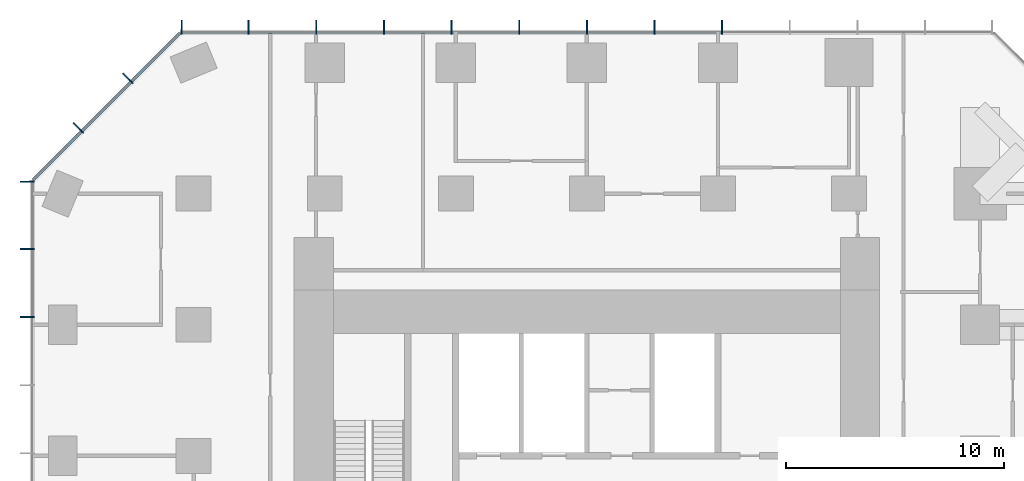
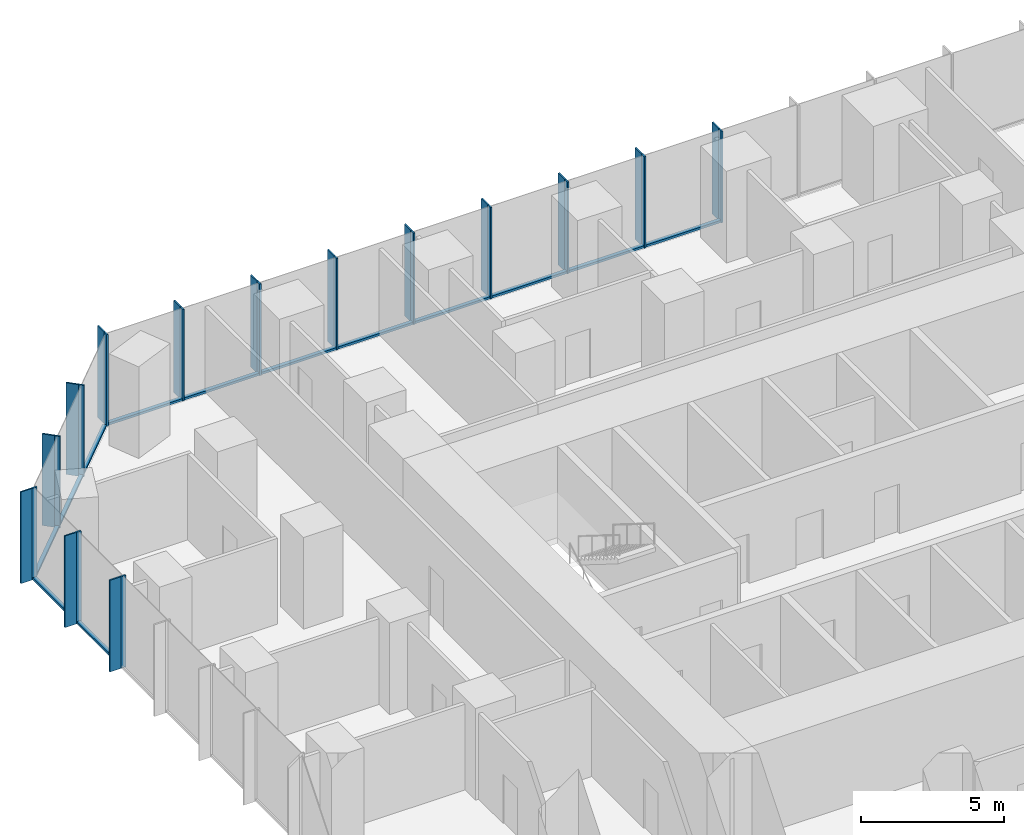
# One storey, part 5 of 12: 41 members, 3 elements without a shape of their own.
"""IFC4 building model written with IfcOpenShell, lengths in metres."""

from ifc_helpers import new_model, si_unit, direction, frame, origin, origin_2d, place, context, subcontext, project, spatial, rectangle, extrude, material, layer, layer_set, material_profile, profile_set, type_object, element, aggregate, save


model = new_model("IFC4")

# Units and contexts
model_context = context("Model", 3, precision=1e-05, world=origin(), true_north=direction((0.0, 1.0)))
body_context = subcontext(model_context, "Body", "Model", "MODEL_VIEW")
ifc_project = project(units=[si_unit("LENGTHUNIT", "METRE"), si_unit("AREAUNIT", "SQUARE_METRE"), si_unit("VOLUMEUNIT", "CUBIC_METRE"), si_unit("PLANEANGLEUNIT", "RADIAN"), si_unit("MASSUNIT", "GRAM", prefix="KILO")], contexts=[model_context])

# Site, building, storey
site_placement = place(None, origin())
site = spatial("IfcSite", under=ifc_project, at=site_placement, CompositionType="ELEMENT")
building_placement = place(site_placement, origin())
building = spatial("IfcBuilding", under=site, at=building_placement, Name="Highveld Stack Headquarters", CompositionType="ELEMENT")
storey_placement = place(building_placement, frame((0.0, 0.0, 156.199951171875)))
storey = spatial("IfcBuildingStorey", under=building, at=storey_placement, Name="L38", CompositionType="ELEMENT", Elevation=156.199951171875)

# Curtain wall, members
ifc_material_1 = material(Name="Aluminium bronze anodised", Category="aluminium")
ifc_layer_1 = layer(ifc_material_1, 0.199951171875)
ifc_layer_set_1 = layer_set([ifc_layer_1], Name="Aluminium bronze anodised")
curtain_wall_type_1 = type_object("IfcCurtainWallType", Name="CW1 TOWER UNITISED CURTAIN WALL", PredefinedType="NOTDEFINED", material=ifc_layer_set_1)
curtain_wall_1_placement = place(storey_placement, origin())
curtain_wall_1 = element("IfcCurtainWall", 1, at=curtain_wall_1_placement, inside=storey, type_object=curtain_wall_type_1, Name="Curtain wall CW1 L38 N", PredefinedType="NOTDEFINED")
ifc_material_2 = material(Name="Aluminium bronze anodised", Category="aluminium")
ifc_material_profile_1 = material_profile(ifc_material_2, rectangle(XDim=0.449951171875, YDim=0.06005859375, at=origin_2d()), Name="FIN 450x60")
ifc_profile_set_1 = profile_set([ifc_material_profile_1], Name="Aluminium bronze anodised")
member_type_1 = type_object("IfcMemberType", Name="CW1 BRONZE FIN 450x60", PredefinedType="USERDEFINED", material=ifc_profile_set_1)
member_1_placement = place(storey_placement, frame((12.193359375, 25.72509765625, 0.0), z_axis=(0.0, 0.0, 1.0), x_axis=(0.0, -1.0, 0.0)))
member_1 = element("IfcMember", 2, at=member_1_placement, type_object=member_type_1, Name="CW1 fin L38 5", ObjectType="FIN", PredefinedType="USERDEFINED", context=body_context, shape_type="SweptSolid", body=[
    extrude(rectangle(XDim=0.449951171875, YDim=0.06005859375, at=origin_2d()), origin(), (0.0, 0.0, 1.0), 3.900146484375),
])
member_2_placement = place(storey_placement, frame((9.0966796875, 25.72509765625, 0.0), z_axis=(0.0, 0.0, 1.0), x_axis=(0.0, -1.0, 0.0)))
member_2 = element("IfcMember", 3, at=member_2_placement, type_object=member_type_1, Name="CW1 fin L38 6", ObjectType="FIN", PredefinedType="USERDEFINED", context=body_context, shape_type="SweptSolid", body=[
    extrude(rectangle(XDim=0.449951171875, YDim=0.06005859375, at=origin_2d()), origin(), (0.0, 0.0, 1.0), 3.900146484375),
])
member_3_placement = place(storey_placement, frame((6.0, 25.72509765625, 0.0), z_axis=(0.0, 0.0, 1.0), x_axis=(0.0, -1.0, 0.0)))
member_3 = element("IfcMember", 4, at=member_3_placement, type_object=member_type_1, Name="CW1 fin L38 7", ObjectType="FIN", PredefinedType="USERDEFINED", context=body_context, shape_type="SweptSolid", body=[
    extrude(rectangle(XDim=0.449951171875, YDim=0.06005859375, at=origin_2d()), origin(), (0.0, 0.0, 1.0), 3.900146484375),
])
member_4_placement = place(storey_placement, frame((2.9033203125, 25.72509765625, 0.0), z_axis=(0.0, 0.0, 1.0), x_axis=(0.0, -1.0, 0.0)))
member_4 = element("IfcMember", 5, at=member_4_placement, type_object=member_type_1, Name="CW1 fin L38 8", ObjectType="FIN", PredefinedType="USERDEFINED", context=body_context, shape_type="SweptSolid", body=[
    extrude(rectangle(XDim=0.449951171875, YDim=0.06005859375, at=origin_2d()), origin(), (0.0, 0.0, 1.0), 3.900146484375),
])
member_5_placement = place(storey_placement, frame((-0.193359375, 25.72509765625, 0.0), z_axis=(0.0, 0.0, 1.0), x_axis=(0.0, -1.0, 0.0)))
member_5 = element("IfcMember", 6, at=member_5_placement, type_object=member_type_1, Name="CW1 fin L38 9", ObjectType="FIN", PredefinedType="USERDEFINED", context=body_context, shape_type="SweptSolid", body=[
    extrude(rectangle(XDim=0.449951171875, YDim=0.06005859375, at=origin_2d()), origin(), (0.0, 0.0, 1.0), 3.900146484375),
])
member_6_placement = place(storey_placement, frame((-3.2900390625, 25.72509765625, 0.0), z_axis=(0.0, 0.0, 1.0), x_axis=(0.0, -1.0, 0.0)))
member_6 = element("IfcMember", 7, at=member_6_placement, type_object=member_type_1, Name="CW1 fin L38 10", ObjectType="FIN", PredefinedType="USERDEFINED", context=body_context, shape_type="SweptSolid", body=[
    extrude(rectangle(XDim=0.449951171875, YDim=0.06005859375, at=origin_2d()), origin(), (0.0, 0.0, 1.0), 3.900146484375),
])
member_7_placement = place(storey_placement, frame((-6.38671875, 25.72509765625, 0.0), z_axis=(0.0, 0.0, 1.0), x_axis=(0.0, -1.0, 0.0)))
member_7 = element("IfcMember", 8, at=member_7_placement, type_object=member_type_1, Name="CW1 fin L38 11", ObjectType="FIN", PredefinedType="USERDEFINED", context=body_context, shape_type="SweptSolid", body=[
    extrude(rectangle(XDim=0.449951171875, YDim=0.06005859375, at=origin_2d()), origin(), (0.0, 0.0, 1.0), 3.900146484375),
])
member_8_placement = place(storey_placement, frame((-9.4833984375, 25.72509765625, 0.0), z_axis=(0.0, 0.0, 1.0), x_axis=(0.0, -1.0, 0.0)))
member_8 = element("IfcMember", 9, at=member_8_placement, type_object=member_type_1, Name="CW1 fin L38 12", ObjectType="FIN", PredefinedType="USERDEFINED", context=body_context, shape_type="SweptSolid", body=[
    extrude(rectangle(XDim=0.449951171875, YDim=0.06005859375, at=origin_2d()), origin(), (0.0, 0.0, 1.0), 3.900146484375),
])
member_9_placement = place(storey_placement, frame((-12.54736328125, 25.72509765625, 0.0), z_axis=(0.0, 0.0, 1.0), x_axis=(0.0, -1.0, 0.0)))
member_9 = element("IfcMember", 10, at=member_9_placement, type_object=member_type_1, Name="CW1 fin L38 13", ObjectType="FIN", PredefinedType="USERDEFINED", context=body_context, shape_type="SweptSolid", body=[
    extrude(rectangle(XDim=0.449951171875, YDim=0.06005859375, at=origin_2d()), origin(), (0.0, 0.0, 1.0), 3.900146484375),
])

curtain_wall_2_placement = place(storey_placement, origin())
curtain_wall_2 = element("IfcCurtainWall", 11, at=curtain_wall_2_placement, inside=storey, type_object=curtain_wall_type_1, Name="Curtain wall CW1 L38 W", PredefinedType="NOTDEFINED")
member_10_placement = place(storey_placement, frame((-19.72509765625, 18.54736328125, 0.0), z_axis=(0.0, 0.0, 1.0), x_axis=(1.0, 0.0, 0.0)))
member_10 = element("IfcMember", 12, at=member_10_placement, type_object=member_type_1, Name="CW1 fin L38 1", ObjectType="FIN", PredefinedType="USERDEFINED", context=body_context, shape_type="SweptSolid", body=[
    extrude(rectangle(XDim=0.449951171875, YDim=0.06005859375, at=origin_2d()), origin(), (0.0, 0.0, 1.0), 3.900146484375),
])
member_11_placement = place(storey_placement, frame((-19.72509765625, 15.4638671875, 0.0), z_axis=(0.0, 0.0, 1.0), x_axis=(1.0, 0.0, 0.0)))
member_11 = element("IfcMember", 13, at=member_11_placement, type_object=member_type_1, Name="CW1 fin L38 2", ObjectType="FIN", PredefinedType="USERDEFINED", context=body_context, shape_type="SweptSolid", body=[
    extrude(rectangle(XDim=0.449951171875, YDim=0.06005859375, at=origin_2d()), origin(), (0.0, 0.0, 1.0), 3.900146484375),
])
member_12_placement = place(storey_placement, frame((-19.72509765625, 12.347900390625, 0.0), z_axis=(0.0, 0.0, 1.0), x_axis=(1.0, 0.0, 0.0)))
member_12 = element("IfcMember", 14, at=member_12_placement, type_object=member_type_1, Name="CW1 fin L38 3", ObjectType="FIN", PredefinedType="USERDEFINED", context=body_context, shape_type="SweptSolid", body=[
    extrude(rectangle(XDim=0.449951171875, YDim=0.06005859375, at=origin_2d()), origin(), (0.0, 0.0, 1.0), 3.900146484375),
])

# Member
ifc_material_3 = material(Name="Aluminium bronze anodised", Category="aluminium")
ifc_material_profile_2 = material_profile(ifc_material_3, rectangle(XDim=0.199951171875, YDim=0.06494140625, at=origin_2d()), Name="CW1 MULLION 65x200")
ifc_profile_set_2 = profile_set([ifc_material_profile_2], Name="Aluminium bronze anodised")
member_type_2 = type_object("IfcMemberType", Name="CW1 MULLION 65x200", PredefinedType="MULLION", material=ifc_profile_set_2)
member_13_placement = place(storey_placement, frame((12.193359375, 25.39990234375, 0.0), z_axis=(0.0, 0.0, 1.0), x_axis=(0.0, -1.0, 0.0)))
member_13 = element("IfcMember", 15, at=member_13_placement, type_object=member_type_2, Name="CW1 mullion L38 5", PredefinedType="MULLION", context=body_context, shape_type="SweptSolid", body=[
    extrude(rectangle(XDim=0.199951171875, YDim=0.06494140625, at=origin_2d()), origin(), (0.0, 0.0, 1.0), 3.900146484375),
])

member_14_placement = place(storey_placement, frame((9.0966796875, 25.39990234375, 0.0), z_axis=(0.0, 0.0, 1.0), x_axis=(0.0, -1.0, 0.0)))
member_14 = element("IfcMember", 16, at=member_14_placement, type_object=member_type_2, Name="CW1 mullion L38 6", PredefinedType="MULLION", context=body_context, shape_type="SweptSolid", body=[
    extrude(rectangle(XDim=0.199951171875, YDim=0.06494140625, at=origin_2d()), origin(), (0.0, 0.0, 1.0), 3.900146484375),
])

member_15_placement = place(storey_placement, frame((6.0, 25.39990234375, 0.0), z_axis=(0.0, 0.0, 1.0), x_axis=(0.0, -1.0, 0.0)))
member_15 = element("IfcMember", 17, at=member_15_placement, type_object=member_type_2, Name="CW1 mullion L38 7", PredefinedType="MULLION", context=body_context, shape_type="SweptSolid", body=[
    extrude(rectangle(XDim=0.199951171875, YDim=0.06494140625, at=origin_2d()), origin(), (0.0, 0.0, 1.0), 3.900146484375),
])

member_16_placement = place(storey_placement, frame((2.9033203125, 25.39990234375, 0.0), z_axis=(0.0, 0.0, 1.0), x_axis=(0.0, -1.0, 0.0)))
member_16 = element("IfcMember", 18, at=member_16_placement, type_object=member_type_2, Name="CW1 mullion L38 8", PredefinedType="MULLION", context=body_context, shape_type="SweptSolid", body=[
    extrude(rectangle(XDim=0.199951171875, YDim=0.06494140625, at=origin_2d()), origin(), (0.0, 0.0, 1.0), 3.900146484375),
])

member_17_placement = place(storey_placement, frame((-0.193359375, 25.39990234375, 0.0), z_axis=(0.0, 0.0, 1.0), x_axis=(0.0, -1.0, 0.0)))
member_17 = element("IfcMember", 19, at=member_17_placement, type_object=member_type_2, Name="CW1 mullion L38 9", PredefinedType="MULLION", context=body_context, shape_type="SweptSolid", body=[
    extrude(rectangle(XDim=0.199951171875, YDim=0.06494140625, at=origin_2d()), origin(), (0.0, 0.0, 1.0), 3.900146484375),
])

member_18_placement = place(storey_placement, frame((-3.2900390625, 25.39990234375, 0.0), z_axis=(0.0, 0.0, 1.0), x_axis=(0.0, -1.0, 0.0)))
member_18 = element("IfcMember", 20, at=member_18_placement, type_object=member_type_2, Name="CW1 mullion L38 10", PredefinedType="MULLION", context=body_context, shape_type="SweptSolid", body=[
    extrude(rectangle(XDim=0.199951171875, YDim=0.06494140625, at=origin_2d()), origin(), (0.0, 0.0, 1.0), 3.900146484375),
])

member_19_placement = place(storey_placement, frame((-6.38671875, 25.39990234375, 0.0), z_axis=(0.0, 0.0, 1.0), x_axis=(0.0, -1.0, 0.0)))
member_19 = element("IfcMember", 21, at=member_19_placement, type_object=member_type_2, Name="CW1 mullion L38 11", PredefinedType="MULLION", context=body_context, shape_type="SweptSolid", body=[
    extrude(rectangle(XDim=0.199951171875, YDim=0.06494140625, at=origin_2d()), origin(), (0.0, 0.0, 1.0), 3.900146484375),
])

member_20_placement = place(storey_placement, frame((-9.4833984375, 25.39990234375, 0.0), z_axis=(0.0, 0.0, 1.0), x_axis=(0.0, -1.0, 0.0)))
member_20 = element("IfcMember", 22, at=member_20_placement, type_object=member_type_2, Name="CW1 mullion L38 12", PredefinedType="MULLION", context=body_context, shape_type="SweptSolid", body=[
    extrude(rectangle(XDim=0.199951171875, YDim=0.06494140625, at=origin_2d()), origin(), (0.0, 0.0, 1.0), 3.900146484375),
])

member_21_placement = place(storey_placement, frame((-12.54736328125, 25.39990234375, 0.0), z_axis=(0.0, 0.0, 1.0), x_axis=(0.0, -1.0, 0.0)))
member_21 = element("IfcMember", 23, at=member_21_placement, type_object=member_type_2, Name="CW1 mullion L38 13", PredefinedType="MULLION", context=body_context, shape_type="SweptSolid", body=[
    extrude(rectangle(XDim=0.199951171875, YDim=0.06494140625, at=origin_2d()), origin(), (0.0, 0.0, 1.0), 3.900146484375),
])

member_22_placement = place(storey_placement, frame((-19.39990234375, 18.54736328125, 0.0), z_axis=(0.0, 0.0, 1.0), x_axis=(1.0, 0.0, 0.0)))
member_22 = element("IfcMember", 24, at=member_22_placement, type_object=member_type_2, Name="CW1 mullion L38 1", PredefinedType="MULLION", context=body_context, shape_type="SweptSolid", body=[
    extrude(rectangle(XDim=0.199951171875, YDim=0.06494140625, at=origin_2d()), origin(), (0.0, 0.0, 1.0), 3.900146484375),
])

member_23_placement = place(storey_placement, frame((-19.39990234375, 15.4638671875, 0.0), z_axis=(0.0, 0.0, 1.0), x_axis=(1.0, 0.0, 0.0)))
member_23 = element("IfcMember", 25, at=member_23_placement, type_object=member_type_2, Name="CW1 mullion L38 2", PredefinedType="MULLION", context=body_context, shape_type="SweptSolid", body=[
    extrude(rectangle(XDim=0.199951171875, YDim=0.06494140625, at=origin_2d()), origin(), (0.0, 0.0, 1.0), 3.900146484375),
])

member_24_placement = place(storey_placement, frame((-19.39990234375, 12.347900390625, 0.0), z_axis=(0.0, 0.0, 1.0), x_axis=(1.0, 0.0, 0.0)))
member_24 = element("IfcMember", 26, at=member_24_placement, type_object=member_type_2, Name="CW1 mullion L38 3", PredefinedType="MULLION", context=body_context, shape_type="SweptSolid", body=[
    extrude(rectangle(XDim=0.199951171875, YDim=0.06494140625, at=origin_2d()), origin(), (0.0, 0.0, 1.0), 3.900146484375),
])

ifc_material_4 = material(Name="Aluminium bronze anodised", Category="aluminium")
ifc_material_profile_3 = material_profile(ifc_material_4, rectangle(XDim=0.14990234375, YDim=0.10009765625, at=origin_2d()), Name="CW1 TRANSOM 150x100")
ifc_profile_set_3 = profile_set([ifc_material_profile_3], Name="Aluminium bronze anodised")
member_type_3 = type_object("IfcMemberType", Name="CW1 STACK TRANSOM 150x100", PredefinedType="USERDEFINED", material=ifc_profile_set_3)
member_25_placement = place(storey_placement, frame((12.160888671875, 25.39990234375, 0.050048828125), z_axis=(-1.0, 0.0, 0.0), x_axis=(0.0, -1.0, 0.0)))
member_25 = element("IfcMember", 27, at=member_25_placement, type_object=member_type_3, Name="CW1 transom L38 5.1", ObjectType="TRANSOM", PredefinedType="USERDEFINED", context=body_context, shape_type="SweptSolid", body=[
    extrude(rectangle(XDim=0.14990234375, YDim=0.10009765625, at=origin_2d()), origin(), (0.0, 0.0, 1.0), 3.03173828125),
])

member_26_placement = place(storey_placement, frame((9.064208984375, 25.39990234375, 0.050048828125), z_axis=(-1.0, 0.0, 0.0), x_axis=(0.0, -1.0, 0.0)))
member_26 = element("IfcMember", 28, at=member_26_placement, type_object=member_type_3, Name="CW1 transom L38 6.1", ObjectType="TRANSOM", PredefinedType="USERDEFINED", context=body_context, shape_type="SweptSolid", body=[
    extrude(rectangle(XDim=0.14990234375, YDim=0.10009765625, at=origin_2d()), origin(), (0.0, 0.0, 1.0), 3.03173828125),
])

member_27_placement = place(storey_placement, frame((5.967529296875, 25.39990234375, 0.050048828125), z_axis=(-1.0, 0.0, 0.0), x_axis=(0.0, -1.0, 0.0)))
member_27 = element("IfcMember", 29, at=member_27_placement, type_object=member_type_3, Name="CW1 transom L38 7.1", ObjectType="TRANSOM", PredefinedType="USERDEFINED", context=body_context, shape_type="SweptSolid", body=[
    extrude(rectangle(XDim=0.14990234375, YDim=0.10009765625, at=origin_2d()), origin(), (0.0, 0.0, 1.0), 3.03173828125),
])

member_28_placement = place(storey_placement, frame((2.870849609375, 25.39990234375, 0.050048828125), z_axis=(-1.0, 0.0, 0.0), x_axis=(0.0, -1.0, 0.0)))
member_28 = element("IfcMember", 30, at=member_28_placement, type_object=member_type_3, Name="CW1 transom L38 8.1", ObjectType="TRANSOM", PredefinedType="USERDEFINED", context=body_context, shape_type="SweptSolid", body=[
    extrude(rectangle(XDim=0.14990234375, YDim=0.10009765625, at=origin_2d()), origin(), (0.0, 0.0, 1.0), 3.03173828125),
])

member_29_placement = place(storey_placement, frame((-0.225830078125, 25.39990234375, 0.050048828125), z_axis=(-1.0, 0.0, 0.0), x_axis=(0.0, -1.0, 0.0)))
member_29 = element("IfcMember", 31, at=member_29_placement, type_object=member_type_3, Name="CW1 transom L38 9.1", ObjectType="TRANSOM", PredefinedType="USERDEFINED", context=body_context, shape_type="SweptSolid", body=[
    extrude(rectangle(XDim=0.14990234375, YDim=0.10009765625, at=origin_2d()), origin(), (0.0, 0.0, 1.0), 3.03173828125),
])

member_30_placement = place(storey_placement, frame((-3.322509765625, 25.39990234375, 0.050048828125), z_axis=(-1.0, 0.0, 0.0), x_axis=(0.0, -1.0, 0.0)))
member_30 = element("IfcMember", 32, at=member_30_placement, type_object=member_type_3, Name="CW1 transom L38 10.1", ObjectType="TRANSOM", PredefinedType="USERDEFINED", context=body_context, shape_type="SweptSolid", body=[
    extrude(rectangle(XDim=0.14990234375, YDim=0.10009765625, at=origin_2d()), origin(), (0.0, 0.0, 1.0), 3.031494140625),
])

member_31_placement = place(storey_placement, frame((-6.419189453125, 25.39990234375, 0.050048828125), z_axis=(-1.0, 0.0, 0.0), x_axis=(0.0, -1.0, 0.0)))
member_31 = element("IfcMember", 33, at=member_31_placement, type_object=member_type_3, Name="CW1 transom L38 11.1", ObjectType="TRANSOM", PredefinedType="USERDEFINED", context=body_context, shape_type="SweptSolid", body=[
    extrude(rectangle(XDim=0.14990234375, YDim=0.10009765625, at=origin_2d()), origin(), (0.0, 0.0, 1.0), 3.031494140625),
])

member_32_placement = place(storey_placement, frame((-9.515869140625, 25.39990234375, 0.050048828125), z_axis=(-1.0, 0.0, 0.0), x_axis=(0.0, -1.0, 0.0)))
member_32 = element("IfcMember", 34, at=member_32_placement, type_object=member_type_3, Name="CW1 transom L38 12.1", ObjectType="TRANSOM", PredefinedType="USERDEFINED", context=body_context, shape_type="SweptSolid", body=[
    extrude(rectangle(XDim=0.14990234375, YDim=0.10009765625, at=origin_2d()), origin(), (0.0, 0.0, 1.0), 2.9990234375),
])

aggregate(curtain_wall_1, [member_13, member_1, member_14, member_2, member_15, member_3, member_16, member_4, member_17, member_5, member_18, member_6, member_19, member_7, member_20, member_8, member_21, member_9, member_25, member_26, member_27, member_28, member_29, member_30, member_31, member_32])

member_33_placement = place(storey_placement, frame((-19.39990234375, 18.514892578125, 0.050048828125), z_axis=(0.0, -1.0, 0.0), x_axis=(1.0, 0.0, 0.0)))
member_33 = element("IfcMember", 35, at=member_33_placement, type_object=member_type_3, Name="CW1 transom L38 1.1", ObjectType="TRANSOM", PredefinedType="USERDEFINED", context=body_context, shape_type="SweptSolid", body=[
    extrude(rectangle(XDim=0.14990234375, YDim=0.10009765625, at=origin_2d()), origin(), (0.0, 0.0, 1.0), 3.0185546875),
])

member_34_placement = place(storey_placement, frame((-19.39990234375, 15.431396484375, 0.050048828125), z_axis=(0.0, -1.0, 0.0), x_axis=(1.0, 0.0, 0.0)))
member_34 = element("IfcMember", 36, at=member_34_placement, type_object=member_type_3, Name="CW1 transom L38 2.1", ObjectType="TRANSOM", PredefinedType="USERDEFINED", context=body_context, shape_type="SweptSolid", body=[
    extrude(rectangle(XDim=0.14990234375, YDim=0.10009765625, at=origin_2d()), origin(), (0.0, 0.0, 1.0), 3.051025390625),
])

aggregate(curtain_wall_2, [member_22, member_10, member_23, member_11, member_24, member_12, member_33, member_34])

# Curtain wall, members
ifc_material_5 = material(Name="Aluminium bronze anodised", Category="aluminium")
ifc_layer_2 = layer(ifc_material_5, 0.199951171875)
ifc_layer_set_2 = layer_set([ifc_layer_2], Name="Aluminium bronze anodised")
curtain_wall_type_2 = type_object("IfcCurtainWallType", Name="CW2 TOWER CHAMFER UNITISED CURTAIN WALL", PredefinedType="NOTDEFINED", material=ifc_layer_set_2)
curtain_wall_3_placement = place(storey_placement, origin())
curtain_wall_3 = element("IfcCurtainWall", 37, at=curtain_wall_3_placement, inside=storey, type_object=curtain_wall_type_2, Name="Curtain wall CW2 L38 NW", PredefinedType="NOTDEFINED")
ifc_material_6 = material(Name="Aluminium bronze anodised", Category="aluminium")
ifc_material_profile_4 = material_profile(ifc_material_6, rectangle(XDim=0.449951171875, YDim=0.06005859375, at=origin_2d()), Name="FIN 450x60")
ifc_profile_set_4 = profile_set([ifc_material_profile_4], Name="Aluminium bronze anodised")
member_type_4 = type_object("IfcMemberType", Name="CW2 BRONZE FIN 450x60", PredefinedType="USERDEFINED", material=ifc_profile_set_4)
member_35_placement = place(storey_placement, frame((-15.0830078125, 23.3564453125, 0.0), z_axis=(0.0, 0.0, 1.0), x_axis=(0.707106781187, -0.707106781187, 0.0)))
member_35 = element("IfcMember", 38, at=member_35_placement, type_object=member_type_4, Name="CW2 fin L38 1", ObjectType="FIN", PredefinedType="USERDEFINED", context=body_context, shape_type="SweptSolid", body=[
    extrude(rectangle(XDim=0.449951171875, YDim=0.06005859375, at=origin_2d()), origin(), (0.0, 0.0, 1.0), 3.900146484375),
])
member_36_placement = place(storey_placement, frame((-17.3564453125, 21.0830078125, 0.0), z_axis=(0.0, 0.0, 1.0), x_axis=(0.707106781187, -0.707106781187, 0.0)))
member_36 = element("IfcMember", 39, at=member_36_placement, type_object=member_type_4, Name="CW2 fin L38 2", ObjectType="FIN", PredefinedType="USERDEFINED", context=body_context, shape_type="SweptSolid", body=[
    extrude(rectangle(XDim=0.449951171875, YDim=0.06005859375, at=origin_2d()), origin(), (0.0, 0.0, 1.0), 3.900146484375),
])
ifc_material_7 = material(Name="Aluminium bronze anodised", Category="aluminium")
ifc_material_profile_5 = material_profile(ifc_material_7, rectangle(XDim=0.199951171875, YDim=0.06494140625, at=origin_2d()), Name="CW2 MULLION 65x200")
ifc_profile_set_5 = profile_set([ifc_material_profile_5], Name="Aluminium bronze anodised")
member_type_5 = type_object("IfcMemberType", Name="CW2 MULLION 65x200", PredefinedType="MULLION", material=ifc_profile_set_5)
member_37_placement = place(storey_placement, frame((-14.853271484375, 23.126708984375, 0.0), z_axis=(0.0, 0.0, 1.0), x_axis=(0.707106781187, -0.707106781187, 0.0)))
member_37 = element("IfcMember", 40, at=member_37_placement, type_object=member_type_5, Name="CW2 mullion L38 1", PredefinedType="MULLION", context=body_context, shape_type="SweptSolid", body=[
    extrude(rectangle(XDim=0.199951171875, YDim=0.06494140625, at=origin_2d()), origin(), (0.0, 0.0, 1.0), 3.900146484375),
])
member_38_placement = place(storey_placement, frame((-17.126708984375, 20.853271484375, 0.0), z_axis=(0.0, 0.0, 1.0), x_axis=(0.707106781187, -0.707106781187, 0.0)))
member_38 = element("IfcMember", 41, at=member_38_placement, type_object=member_type_5, Name="CW2 mullion L38 2", PredefinedType="MULLION", context=body_context, shape_type="SweptSolid", body=[
    extrude(rectangle(XDim=0.199951171875, YDim=0.06494140625, at=origin_2d()), origin(), (0.0, 0.0, 1.0), 3.900146484375),
])
ifc_material_8 = material(Name="Aluminium bronze anodised", Category="aluminium")
ifc_material_profile_6 = material_profile(ifc_material_8, rectangle(XDim=0.14990234375, YDim=0.10009765625, at=origin_2d()), Name="CW2 TRANSOM 150x100")
ifc_profile_set_6 = profile_set([ifc_material_profile_6], Name="Aluminium bronze anodised")
member_type_6 = type_object("IfcMemberType", Name="CW2 STACK TRANSOM 150x100", PredefinedType="USERDEFINED", material=ifc_profile_set_6)
member_39_placement = place(storey_placement, frame((-12.650634765625, 25.329345703125, 0.050048828125), z_axis=(-0.707106781187, -0.707106781187, 0.0), x_axis=(0.707106781187, -0.707106781187, 0.0)))
member_39 = element("IfcMember", 42, at=member_39_placement, type_object=member_type_6, Name="CW2 transom L38 1.1", ObjectType="TRANSOM", PredefinedType="USERDEFINED", context=body_context, shape_type="SweptSolid", body=[
    extrude(rectangle(XDim=0.14990234375, YDim=0.10009765625, at=origin_2d()), origin(), (0.0, 0.0, 1.0), 3.08251953125),
])
member_40_placement = place(storey_placement, frame((-14.876220703125, 23.103759765625, 0.050048828125), z_axis=(-0.707106781187, -0.707106781187, 0.0), x_axis=(0.707106781187, -0.707106781187, 0.0)))
member_40 = element("IfcMember", 43, at=member_40_placement, type_object=member_type_6, Name="CW2 transom L38 2.1", ObjectType="TRANSOM", PredefinedType="USERDEFINED", context=body_context, shape_type="SweptSolid", body=[
    extrude(rectangle(XDim=0.14990234375, YDim=0.10009765625, at=origin_2d()), origin(), (0.0, 0.0, 1.0), 3.150146484375),
])
member_41_placement = place(storey_placement, frame((-17.149658203125, 20.830322265625, 0.050048828125), z_axis=(-0.707106781187, -0.707106781187, 0.0), x_axis=(0.707106781187, -0.707106781187, 0.0)))
member_41 = element("IfcMember", 44, at=member_41_placement, type_object=member_type_6, Name="CW2 transom L38 3.1", ObjectType="TRANSOM", PredefinedType="USERDEFINED", context=body_context, shape_type="SweptSolid", body=[
    extrude(rectangle(XDim=0.14990234375, YDim=0.10009765625, at=origin_2d()), origin(), (0.0, 0.0, 1.0), 3.08251953125),
])
aggregate(curtain_wall_3, [member_37, member_35, member_38, member_36, member_39, member_40, member_41])

save(model, "model.ifc")
